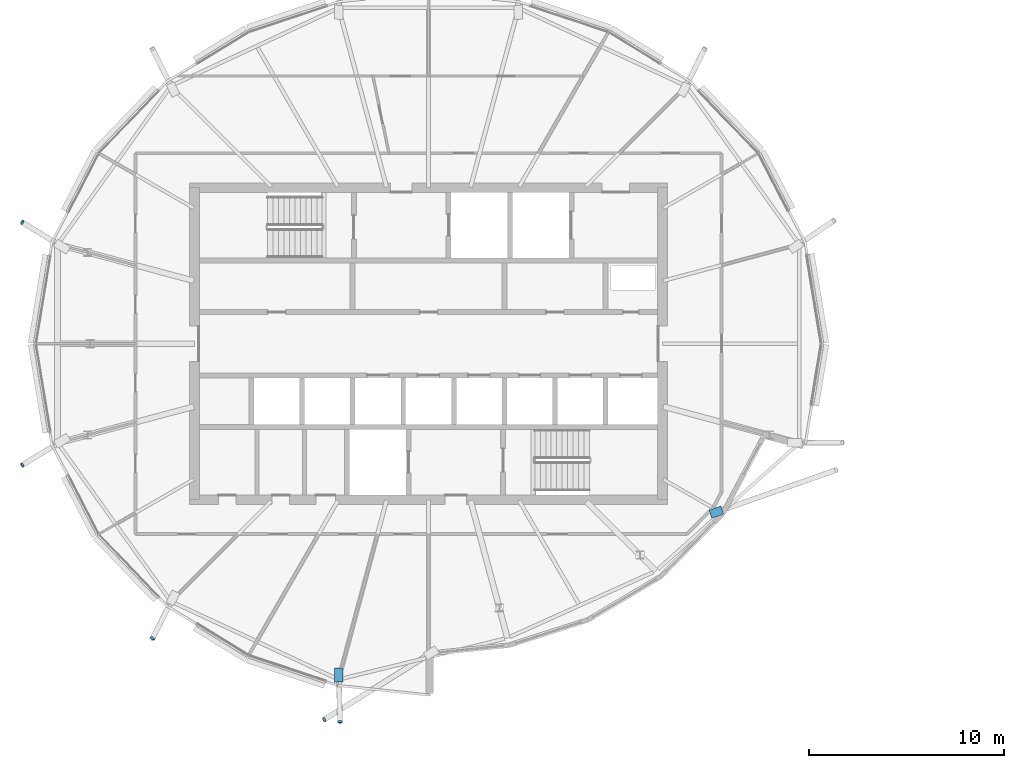
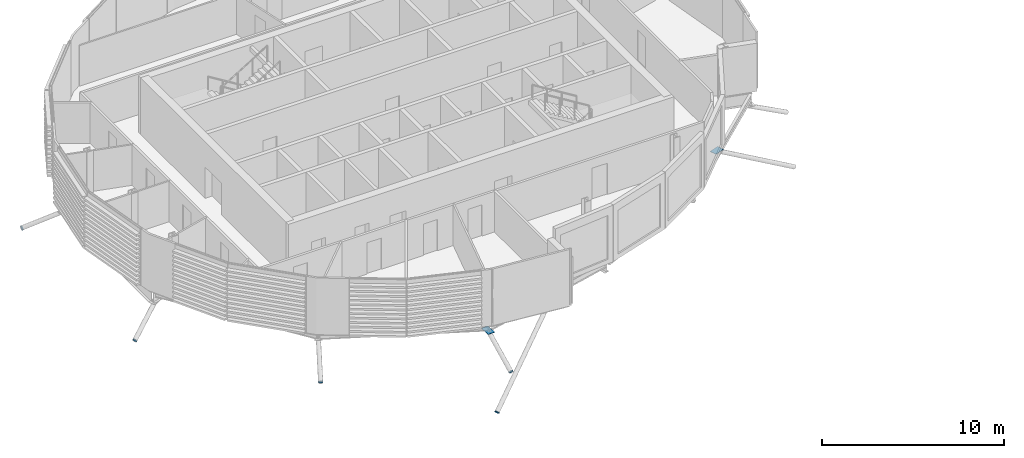
# One storey, part 25 of 36: 7 discrete accessories.
"""IFC4 building model written with IfcOpenShell, lengths in metres."""

from ifc_helpers import new_model, si_unit, direction, frame, origin, origin_2d, place, context, subcontext, project, spatial, polyline, rectangle, circle, outline, extrude, material, material_profile, profile_set, type_object, element, save


model = new_model("IFC4")

# Units and contexts
model_context = context("Model", 3, precision=1e-05, world=origin(), true_north=direction((0.0, 1.0)))
body_context = subcontext(model_context, "Body", "Model", "MODEL_VIEW")
ifc_project = project(units=[si_unit("LENGTHUNIT", "METRE"), si_unit("AREAUNIT", "SQUARE_METRE"), si_unit("VOLUMEUNIT", "CUBIC_METRE"), si_unit("PLANEANGLEUNIT", "RADIAN"), si_unit("MASSUNIT", "GRAM", prefix="KILO")], contexts=[model_context])

# Site, building, storey
site_placement = place(None, origin())
site = spatial("IfcSite", under=ifc_project, at=site_placement, CompositionType="ELEMENT")
building_placement = place(site_placement, origin())
building = spatial("IfcBuilding", under=site, at=building_placement, Name="Rimbun Link Towers", CompositionType="ELEMENT")
storey_placement = place(building_placement, frame((0.0, 0.0, 248.5)))
storey = spatial("IfcBuildingStorey", under=building, at=storey_placement, Name="L61", CompositionType="ELEMENT", Elevation=248.5)

# Discrete accessories
ifc_material_1 = material(Name="Steel S355J2H", Category="steel")
ifc_material_profile_1 = material_profile(ifc_material_1, circle(Radius=0.1240234375, at=origin_2d()), Name="PL D248")
ifc_profile_set_1 = profile_set([ifc_material_profile_1], Name="Steel S355J2H")
discrete_accessory_type_1 = type_object("IfcDiscreteAccessoryType", Name="Link foot sealing plate D248X20", PredefinedType="BRACKET", material=ifc_profile_set_1)
for number, where, z_axis, x_axis, name in (
    (1, (-52.561767578125, 6.21240234375, -2.199951171875), (-0.7598929425, 0.465740835726, -0.453484497944), (-0.522562057929, -0.852601252411, 0.0), "Link foot sealing plate T1 L61 11"),
    (2, (-52.561767578125, -6.21240234375, -2.199951171875), (-0.7598929425, -0.465740835726, -0.453484497944), (0.522562057929, -0.852601252411, 0.0), "Link foot sealing plate T1 L61 13"),
    (3, (-45.8984375, -15.09619140625, -1.95068359375), (-0.389289794786, -0.766414283485, -0.510942855656), (0.891578868093, -0.452865456809, 0.0), "Link foot sealing plate T1 L61 15"),
    (4, (-36.284912109375, -19.368896484375, -2.02783203125), (0.024274991071, -0.873899678569, -0.485499821427), (0.999614420653, 0.02776706724, 0.0), "Link foot sealing plate T1 L61 17"),
):
    element("IfcDiscreteAccessory", number, at=place(storey_placement, frame(where, z_axis=z_axis, x_axis=x_axis)), inside=storey, type_object=discrete_accessory_type_1, Name=name, PredefinedType="BRACKET", context=body_context, shape_type="SweptSolid", body=[
        extrude(circle(Radius=0.1240234375, at=origin_2d()), origin(), (0.0, 0.0, 1.0), 0.02001953125),
    ])
discrete_accessory_1_placement = place(storey_placement, frame((-37.089111328125, -19.26513671875, -4.537841796875), z_axis=(-0.727179248346, -0.460546857286, -0.509025473842), x_axis=(0.535052081184, -0.844819075554, 0.0)))
element("IfcDiscreteAccessory", 5, at=discrete_accessory_1_placement, inside=storey, type_object=discrete_accessory_type_1, Name="Link foot sealing plate T1 L61 18", PredefinedType="BRACKET", context=body_context, shape_type="SweptSolid", body=[
    extrude(circle(Radius=0.1240234375, at=origin_2d()), origin(), (0.0, 0.0, 1.0), 0.020263671875),
])
ifc_material_2 = material(Name="Steel S355J2H", Category="steel")
ifc_material_profile_2 = material_profile(ifc_material_2, rectangle(XDim=0.43310546875, YDim=0.43310546875, at=origin_2d()), Name="PL 433x433")
ifc_profile_set_2 = profile_set([ifc_material_profile_2], Name="Steel S355J2H")
discrete_accessory_type_2 = type_object("IfcDiscreteAccessoryType", Name="Link head end plate 433X20", PredefinedType="BRACKET", material=ifc_profile_set_2)
discrete_accessory_2_placement = place(storey_placement, frame((0.0, 0.0, -0.693115234375)))
element("IfcDiscreteAccessory", 6, at=discrete_accessory_2_placement, inside=storey, type_object=discrete_accessory_type_2, Name="Link head end plate T1 L61 17", PredefinedType="BRACKET", context=body_context, shape_type="SweptSolid", body=[
    extrude(outline(polyline([(-36.582275390625, -16.639892578125), (-36.56103515625, -17.357421875), (-36.12841796875, -17.344482421875), (-36.1494140625, -16.627197265625), (-36.582275390625, -16.639892578125)])), origin(), (0.0, 0.0, 1.0), 0.02001953125),
])
discrete_accessory_3_placement = place(storey_placement, frame((0.0, 0.0, -0.46337890625)))
element("IfcDiscreteAccessory", 7, at=discrete_accessory_3_placement, inside=storey, type_object=discrete_accessory_type_2, Name="Link head end plate T1 L61 22", PredefinedType="BRACKET", context=body_context, shape_type="SweptSolid", body=[
    extrude(outline(polyline([(-17.222412109375, -8.9462890625), (-16.62158203125, -8.73486328125), (-16.76513671875, -8.326416015625), (-17.3662109375, -8.537841796875), (-17.222412109375, -8.9462890625)])), origin(), (0.0, 0.0, 1.0), 0.02001953125),
])

save(model, "model.ifc")
